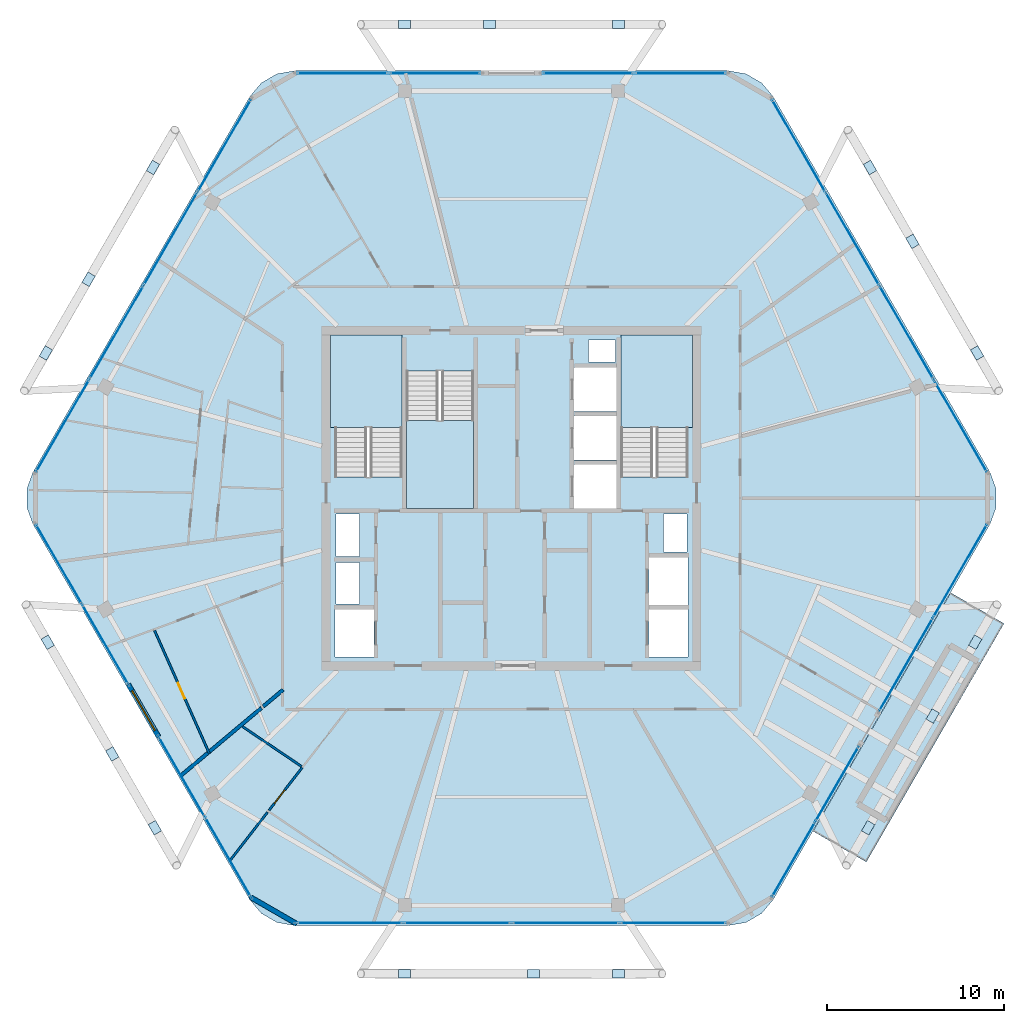
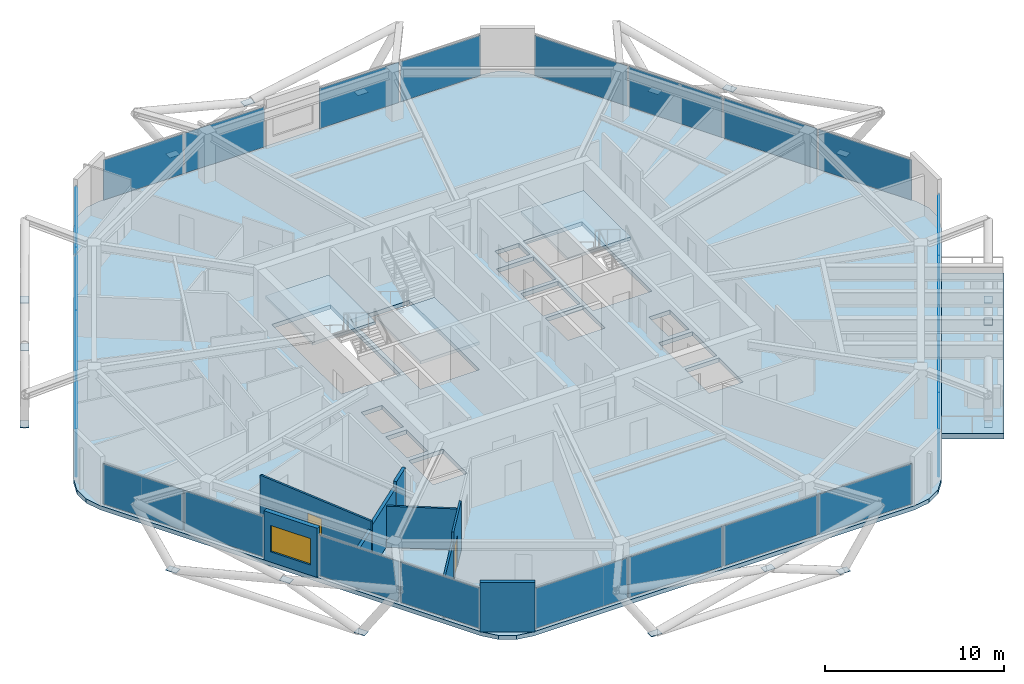
# One storey, part 16 of 23: 42 plates, 9 walls, 5 slabs, 2 doors, 1 window, 3 openings, 12 elements without a shape of their own.
"""IFC4 building model written with IfcOpenShell, lengths in metres."""

from ifc_helpers import new_model, si_unit, direction, frame, frame_2d, origin, origin_2d, place, context, subcontext, project, spatial, polyline, rectangle, outline, extrude, material, layer, layer_set, type_object, element, fill, aggregate, save


model = new_model("IFC4")

# Units and contexts
model_context = context("Model", 3, precision=1e-05, world=origin(), true_north=direction((0.0, 1.0)))
body_context = subcontext(model_context, "Body", "Model", "MODEL_VIEW")
ifc_project = project(units=[si_unit("LENGTHUNIT", "METRE"), si_unit("AREAUNIT", "SQUARE_METRE"), si_unit("VOLUMEUNIT", "CUBIC_METRE"), si_unit("PLANEANGLEUNIT", "RADIAN"), si_unit("MASSUNIT", "GRAM", prefix="KILO")], contexts=[model_context])

# Site, building, storey
site_placement = place(None, origin())
site = spatial("IfcSite", under=ifc_project, at=site_placement, CompositionType="ELEMENT")
building_placement = place(site_placement, origin())
building = spatial("IfcBuilding", under=site, at=building_placement, Name="Zuhravey Tower", CompositionType="ELEMENT")
storey_placement = place(building_placement, frame((0.0, 0.0, 353.800048828125)))
storey = spatial("IfcBuildingStorey", under=building, at=storey_placement, Name="L90", CompositionType="ELEMENT", Elevation=353.800048828125)

# Plates
ifc_material_1 = material(Name="Steel SM460", Category="steel")
ifc_layer_1 = layer(ifc_material_1, 0.028076171875)
ifc_layer_set_1 = layer_set([ifc_layer_1], Name="Steel SM460")
plate_type_1 = type_object("IfcPlateType", Name="Exoskeleton Zone 4 Node Plate ND4", PredefinedType="SHEET", material=ifc_layer_set_1)
for number, where, z_axis, x_axis, name in (
    (1, (62.376708984375, 40.222412109375, -0.61328125), (0.0, 0.0, 1.0), (-0.5, 0.866025403784, 0.0), "L90 Exoskeleton Node Gusset L90-01"),
    (2, (56.30908203125, 50.731689453125, -0.61328125), (0.0, 0.0, 1.0), (-0.5, 0.866025403784, 0.0), "L90 Exoskeleton Node Gusset L90-02"),
    (3, (42.0673828125, 58.833984375, -0.61328125), (0.0, 0.0, 1.0), (-1.0, 0.0, 0.0), "L90 Exoskeleton Node Gusset L90-03"),
    (4, (29.9326171875, 58.833984375, -0.61328125), (0.0, 0.0, 1.0), (-1.0, 0.0, 0.0), "L90 Exoskeleton Node Gusset L90-04"),
    (5, (15.69091796875, 50.731689453125, -0.61328125), (0.0, 0.0, 1.0), (-0.5, -0.866025403784, 0.0), "L90 Exoskeleton Node Gusset L90-05"),
    (6, (9.623291015625, 40.222412109375, -0.61328125), (0.0, 0.0, 1.0), (-0.5, -0.866025403784, 0.0), "L90 Exoskeleton Node Gusset L90-06"),
    (7, (9.727294921875, 23.83740234375, -0.61328125), (0.0, 0.0, 1.0), (0.5, -0.866025403784, 0.0), "L90 Exoskeleton Node Gusset L90-07"),
    (8, (15.794677734375, 13.328369140625, -0.61328125), (0.0, 0.0, 1.0), (0.5, -0.866025403784, 0.0), "L90 Exoskeleton Node Gusset L90-08"),
    (9, (29.9326171875, 5.0458984375, -0.61328125), (0.0, 0.0, 1.0), (1.0, 0.0, 0.0), "L90 Exoskeleton Node Gusset L90-09"),
    (10, (42.0673828125, 5.0458984375, -0.61328125), (0.0, 0.0, 1.0), (1.0, 0.0, 0.0), "L90 Exoskeleton Node Gusset L90-10"),
    (11, (56.205322265625, 13.328369140625, -0.61328125), (0.0, 0.0, 1.0), (0.5, 0.866025403784, 0.0), "L90 Exoskeleton Node Gusset L90-11"),
    (12, (62.272705078125, 23.83740234375, -0.61328125), (0.0, 0.0, 1.0), (0.5, 0.866025403784, 0.0), "L90 Exoskeleton Node Gusset L90-12"),
    (13, (58.7158203125, 46.548095703125, 1.25439453125), (0.0, 0.0, 1.0), (-0.5, 0.866025403784, 0.0), "L90 Face 1 Diagrid X-Crossing Plate"),
    (14, (34.7587890625, 58.833984375, 1.25439453125), (0.0, 0.0, 1.0), (-1.0, 0.0, 0.0), "L90 Face 2 Diagrid X-Crossing Plate"),
    (15, (12.043212890625, 44.398681640625, 1.25439453125), (0.0, 0.0, 1.0), (-0.5, -0.866025403784, 0.0), "L90 Face 3 Diagrid X-Crossing Plate"),
    (16, (13.381591796875, 17.50830078125, 1.25439453125), (0.0, 0.0, 1.0), (0.5, -0.866025403784, 0.0), "L90 Face 4 Diagrid X-Crossing Plate"),
    (17, (37.2412109375, 5.053466796875, 1.25439453125), (0.0, 0.0, 1.0), (1.0, 0.0, 0.0), "L90 Face 5 Diagrid X-Crossing Plate"),
    (18, (59.859619140625, 19.65771484375, 1.25439453125), (0.0, 0.0, 1.0), (0.5, 0.866025403784, 0.0), "L90 Face 6 Diagrid X-Crossing Plate"),
):
    element("IfcPlate", number, at=place(storey_placement, frame(where, z_axis=z_axis, x_axis=x_axis)), inside=storey, type_object=plate_type_1, Name=name, PredefinedType="SHEET", context=body_context, shape_type="SweptSolid", body=[
        extrude(rectangle(XDim=0.679931640625, YDim=0.47998046875, at=origin_2d()), origin(), (0.0, 0.0, 1.0), 0.028076171875),
    ])

# Slabs
ifc_material_2 = material(Name="Concrete C50/60", Category="concrete")
ifc_layer_2 = layer(ifc_material_2, 0.280029296875)
ifc_layer_set_2 = layer_set([ifc_layer_2], Name="Concrete C50/60")
slab_type_1 = type_object("IfcSlabType", Name="School Composite Floor Slab 280", PredefinedType="FLOOR", material=ifc_layer_set_2)
slab_1_placement = place(storey_placement, frame((0.0, 0.0, -0.280029296875)))
element("IfcSlab", 19, at=slab_1_placement, inside=storey, type_object=slab_type_1, Name="L90 Floor Slab FS28", PredefinedType="FLOOR", context=body_context, shape_type="SweptSolid", body=[
    extrude(outline(polyline([(63.1083984375, 30.52490234375), (63.458740234375, 31.48779296875), (63.458740234375, 32.51220703125), (63.1083984375, 33.47509765625), (50.83154296875, 54.739013671875), (50.173095703125, 55.52392578125), (49.285888671875, 56.0361328125), (48.27685546875, 56.214111328125), (23.72314453125, 56.214111328125), (22.714111328125, 56.0361328125), (21.826904296875, 55.52392578125), (21.16845703125, 54.739013671875), (8.8916015625, 33.47509765625), (8.541259765625, 32.51220703125), (8.541259765625, 31.48779296875), (8.8916015625, 30.52490234375), (21.16845703125, 9.260986328125), (21.826904296875, 8.47607421875), (22.714111328125, 7.9638671875), (23.72314453125, 7.785888671875), (48.27685546875, 7.785888671875), (49.285888671875, 7.9638671875), (50.173095703125, 8.47607421875), (50.83154296875, 9.260986328125), (63.1083984375, 30.52490234375)]), holes=[polyline([(29.800048828125, 33.20068359375), (29.800048828125, 41.0), (26.0, 41.0), (26.0, 33.20068359375), (29.800048828125, 33.20068359375)]), polyline([(46.0, 33.20068359375), (46.0, 41.0), (42.199951171875, 41.0), (42.199951171875, 33.20068359375), (46.0, 33.20068359375)]), polyline([(30.050048828125, 39.199462890625), (30.050048828125, 31.39990234375), (33.85009765625, 31.39990234375), (33.85009765625, 39.199462890625), (30.050048828125, 39.199462890625)]), polyline([(39.550048828125, 31.39990234375), (41.949951171875, 31.39990234375), (41.949951171875, 33.89990234375), (39.550048828125, 33.89990234375), (39.550048828125, 31.39990234375)]), polyline([(39.550048828125, 34.14990234375), (41.949951171875, 34.14990234375), (41.949951171875, 36.64990234375), (39.550048828125, 36.64990234375), (39.550048828125, 34.14990234375)]), polyline([(39.550048828125, 36.89990234375), (41.949951171875, 36.89990234375), (41.949951171875, 39.39990234375), (39.550048828125, 39.39990234375), (39.550048828125, 36.89990234375)]), polyline([(26.0, 23.0), (28.199951171875, 23.0), (28.199951171875, 25.699951171875), (26.0, 25.699951171875), (26.0, 23.0)]), polyline([(43.800048828125, 23.0), (46.0, 23.0), (46.0, 25.699951171875), (43.800048828125, 25.699951171875), (43.800048828125, 23.0)]), polyline([(43.800048828125, 25.949951171875), (46.0, 25.949951171875), (46.0, 28.64990234375), (43.800048828125, 28.64990234375), (43.800048828125, 25.949951171875)]), polyline([(26.050048828125, 26.0), (27.39990234375, 26.0), (27.39990234375, 28.35009765625), (26.050048828125, 28.35009765625), (26.050048828125, 26.0)]), polyline([(26.050048828125, 28.699951171875), (27.39990234375, 28.699951171875), (27.39990234375, 31.10009765625), (26.050048828125, 31.10009765625), (26.050048828125, 28.699951171875)]), polyline([(44.60009765625, 28.949951171875), (45.949951171875, 28.949951171875), (45.949951171875, 31.10009765625), (44.60009765625, 31.10009765625), (44.60009765625, 28.949951171875)]), polyline([(40.35009765625, 39.699951171875), (41.89990234375, 39.699951171875), (41.89990234375, 40.949951171875), (40.35009765625, 40.949951171875), (40.35009765625, 39.699951171875)])]), origin(), (0.0, 0.0, 1.0), 0.280029296875),
])
ifc_layer_3 = layer(ifc_material_2, 0.3798828125)
ifc_layer_set_3 = layer_set([ifc_layer_3], Name="Concrete C50/60")
slab_type_2 = type_object("IfcSlabType", Name="Sky-Pool Structural Deck Slab 380", PredefinedType="FLOOR", material=ifc_layer_set_3)
slab_2_placement = place(storey_placement, frame((0.0, 0.0, -0.380126953125)))
element("IfcSlab", 20, at=slab_2_placement, inside=storey, type_object=slab_type_2, Name="L90 Cantilevered Sky-Pool Deck SPD38", PredefinedType="FLOOR", context=body_context, shape_type="SweptSolid", body=[
    extrude(outline(polyline([(53.0830078125, 13.13037109375), (60.883056640625, 26.640380859375), (63.901123046875, 24.89794921875), (56.10107421875, 11.387939453125), (53.0830078125, 13.13037109375)])), origin(), (0.0, 0.0, 1.0), 0.380126953125),
])

# Stair, slab
ifc_material_3 = material(Name="Concrete C40/50", Category="concrete")
stair_type = type_object("IfcStairType", Name="Housing Storey Stair Assembly 3800", PredefinedType="HALF_TURN_STAIR", material=ifc_material_3)
stair_1_placement = place(storey_placement, origin())
stair_1 = element("IfcStair", 21, at=stair_1_placement, inside=storey, type_object=stair_type, Name="L90 Core Exit Stair ST1", PredefinedType="HALF_TURN_STAIR")
ifc_layer_4 = layer(ifc_material_3, 0.199951171875)
ifc_layer_set_4 = layer_set([ifc_layer_4], Name="Concrete C40/50")
slab_type_3 = type_object("IfcSlabType", Name="Stair Landing Slab 200", PredefinedType="LANDING", material=ifc_layer_set_4)
slab_3_placement = place(storey_placement, frame((0.0, 0.0, 1.699951171875)))
slab_3 = element("IfcSlab", 22, at=slab_3_placement, type_object=slab_type_3, Name="ST1 landing 1", PredefinedType="LANDING", context=body_context, shape_type="SweptSolid", body=[
    extrude(outline(polyline([(29.800048828125, 36.0), (29.800048828125, 41.248046875), (25.751953125, 41.248046875), (25.751953125, 36.0), (29.800048828125, 36.0)])), origin(), (0.0, 0.0, 1.0), 0.199951171875),
])
aggregate(stair_1, [slab_3])

stair_2_placement = place(storey_placement, origin())
stair_2 = element("IfcStair", 23, at=stair_2_placement, inside=storey, type_object=stair_type, Name="L90 Core Exit Stair ST2", PredefinedType="HALF_TURN_STAIR")
slab_4_placement = place(storey_placement, frame((0.0, 0.0, 1.699951171875)))
slab_4 = element("IfcSlab", 24, at=slab_4_placement, type_object=slab_type_3, Name="ST2 landing 1", PredefinedType="LANDING", context=body_context, shape_type="SweptSolid", body=[
    extrude(outline(polyline([(46.248046875, 36.0), (46.248046875, 41.248046875), (42.199951171875, 41.248046875), (42.199951171875, 36.0), (46.248046875, 36.0)])), origin(), (0.0, 0.0, 1.0), 0.199951171875),
])
aggregate(stair_2, [slab_4])

stair_3_placement = place(storey_placement, origin())
stair_3 = element("IfcStair", 25, at=stair_3_placement, inside=storey, type_object=stair_type, Name="L90 Core Exit Stair ST3", PredefinedType="HALF_TURN_STAIR")
slab_5_placement = place(storey_placement, frame((0.0, 0.0, 1.699951171875)))
slab_5 = element("IfcSlab", 26, at=slab_5_placement, type_object=slab_type_3, Name="ST3 landing 1", PredefinedType="LANDING", context=body_context, shape_type="SweptSolid", body=[
    extrude(outline(polyline([(30.050048828125, 36.39990234375), (30.050048828125, 31.39990234375), (33.85009765625, 31.39990234375), (33.85009765625, 36.39990234375), (30.050048828125, 36.39990234375)])), origin(), (0.0, 0.0, 1.0), 0.199951171875),
])
aggregate(stair_3, [slab_5])

# Curtain wall, plates
ifc_material_4 = material(Name="Thermally broken anodised aluminium", Category="aluminium")
curtain_wall_type = type_object("IfcCurtainWallType", Name="Zone 3-4 High-Rise Curtain Wall CW4", PredefinedType="NOTDEFINED", material=ifc_material_4)
curtain_wall_1_placement = place(storey_placement, origin())
curtain_wall_1 = element("IfcCurtainWall", 27, at=curtain_wall_1_placement, inside=storey, type_object=curtain_wall_type, Name="L90 CW4 CW-L90-F6-1", PredefinedType="NOTDEFINED")
ifc_material_5 = material(Name="Triple low-E insulated vision glass", Category="glass")
ifc_layer_5 = layer(ifc_material_5, 0.0419921875)
ifc_layer_set_5 = layer_set([ifc_layer_5], Name="Triple low-E insulated vision glass")
plate_type_2 = type_object("IfcPlateType", Name="Triple Low-E Vision Panel", PredefinedType="CURTAIN_PANEL", material=ifc_layer_set_5)
plate_1_placement = place(storey_placement, frame((61.414794921875, 27.87158203125, 0.08984375), z_axis=(0.0, 0.0, 1.0), x_axis=(-0.499998619547, -0.866026200788, 0.0)))
plate_1 = element("IfcPlate", 28, at=plate_1_placement, type_object=plate_type_2, Name="CW4 panel 1.1", PredefinedType="CURTAIN_PANEL", context=body_context, shape_type="SweptSolid", body=[
    extrude(rectangle(XDim=6.03466796875, YDim=0.0419921875, at=origin_2d()), origin(), (0.0, 0.0, 1.0), 2.199951171875),
])
plate_2_placement = place(storey_placement, frame((58.3525390625, 22.5673828125, 0.08984375), z_axis=(0.0, 0.0, 1.0), x_axis=(-0.499998619547, -0.866026200788, 0.0)))
plate_2 = element("IfcPlate", 29, at=plate_2_placement, type_object=plate_type_2, Name="CW4 panel 2.1", PredefinedType="CURTAIN_PANEL", context=body_context, shape_type="SweptSolid", body=[
    extrude(rectangle(XDim=6.03466796875, YDim=0.0419921875, at=origin_2d()), origin(), (0.0, 0.0, 1.0), 2.199951171875),
])
aggregate(curtain_wall_1, [plate_1, plate_2])

curtain_wall_2_placement = place(storey_placement, origin())
curtain_wall_2 = element("IfcCurtainWall", 30, at=curtain_wall_2_placement, inside=storey, type_object=curtain_wall_type, Name="L90 CW4 CW-L90-F6-2", PredefinedType="NOTDEFINED")
plate_3_placement = place(storey_placement, frame((54.445068359375, 15.7998046875, 0.08984375), z_axis=(0.0, 0.0, 1.0), x_axis=(-0.500003175854, -0.866023570197, 0.0)))
plate_3 = element("IfcPlate", 31, at=plate_3_placement, type_object=plate_type_2, Name="CW4 panel 1.1", PredefinedType="CURTAIN_PANEL", context=body_context, shape_type="SweptSolid", body=[
    extrude(rectangle(XDim=4.834716796875, YDim=0.0419921875, at=origin_2d()), origin(), (0.0, 0.0, 1.0), 2.199951171875),
])
plate_4_placement = place(storey_placement, frame((51.982666015625, 11.534912109375, 0.08984375), z_axis=(0.0, 0.0, 1.0), x_axis=(-0.500003175854, -0.866023570197, 0.0)))
plate_4 = element("IfcPlate", 32, at=plate_4_placement, type_object=plate_type_2, Name="CW4 panel 2.1", PredefinedType="CURTAIN_PANEL", context=body_context, shape_type="SweptSolid", body=[
    extrude(rectangle(XDim=4.834716796875, YDim=0.0419921875, at=origin_2d()), origin(), (0.0, 0.0, 1.0), 2.199951171875),
])
aggregate(curtain_wall_2, [plate_3, plate_4])

curtain_wall_3_placement = place(storey_placement, origin())
curtain_wall_3 = element("IfcCurtainWall", 33, at=curtain_wall_3_placement, inside=storey, type_object=curtain_wall_type, Name="L90 CW4 CW-L90-F5-1", PredefinedType="NOTDEFINED")
plate_5_placement = place(storey_placement, frame((45.156982421875, 7.92578125, 0.08984375), z_axis=(0.0, 0.0, 1.0), x_axis=(-1.0, 0.0, 0.0)))
plate_5 = element("IfcPlate", 34, at=plate_5_placement, type_object=plate_type_2, Name="CW4 panel 1.1", PredefinedType="CURTAIN_PANEL", context=body_context, shape_type="SweptSolid", body=[
    extrude(rectangle(XDim=5.984619140625, YDim=0.0419921875, at=origin_2d()), origin(), (0.0, 0.0, 1.0), 2.741943359375),
])
plate_6_placement = place(storey_placement, frame((39.059814453125, 7.92578125, 0.08984375), z_axis=(0.0, 0.0, 1.0), x_axis=(-1.0, 0.0, 0.0)))
plate_6 = element("IfcPlate", 35, at=plate_6_placement, type_object=plate_type_2, Name="CW4 panel 2.1", PredefinedType="CURTAIN_PANEL", context=body_context, shape_type="SweptSolid", body=[
    extrude(rectangle(XDim=6.029541015625, YDim=0.0419921875, at=origin_2d()), origin(), (0.0, 0.0, 1.0), 2.741943359375),
])
plate_7_placement = place(storey_placement, frame((32.940185546875, 7.92578125, 0.08984375), z_axis=(0.0, 0.0, 1.0), x_axis=(-1.0, 0.0, 0.0)))
plate_7 = element("IfcPlate", 36, at=plate_7_placement, type_object=plate_type_2, Name="CW4 panel 3.1", PredefinedType="CURTAIN_PANEL", context=body_context, shape_type="SweptSolid", body=[
    extrude(rectangle(XDim=6.029541015625, YDim=0.0419921875, at=origin_2d()), origin(), (0.0, 0.0, 1.0), 2.741943359375),
])
plate_8_placement = place(storey_placement, frame((26.843017578125, 7.92578125, 0.08984375), z_axis=(0.0, 0.0, 1.0), x_axis=(-1.0, 0.0, 0.0)))
plate_8 = element("IfcPlate", 37, at=plate_8_placement, type_object=plate_type_2, Name="CW4 panel 4.1", PredefinedType="CURTAIN_PANEL", context=body_context, shape_type="SweptSolid", body=[
    extrude(rectangle(XDim=5.984619140625, YDim=0.0419921875, at=origin_2d()), origin(), (0.0, 0.0, 1.0), 2.741943359375),
])
aggregate(curtain_wall_3, [plate_5, plate_6, plate_7, plate_8])

curtain_wall_4_placement = place(storey_placement, origin())
curtain_wall_4 = element("IfcCurtainWall", 38, at=curtain_wall_4_placement, inside=storey, type_object=curtain_wall_type, Name="L90 CW4 CW-L90-F4-1", PredefinedType="NOTDEFINED")
plate_9_placement = place(storey_placement, frame((19.939208984375, 11.670166015625, 0.08984375), z_axis=(0.0, 0.0, 1.0), x_axis=(-0.49999448997, 0.866028584979, 0.0)))
plate_9 = element("IfcPlate", 39, at=plate_9_placement, type_object=plate_type_2, Name="CW4 panel 1.1", PredefinedType="CURTAIN_PANEL", context=body_context, shape_type="SweptSolid", body=[
    extrude(rectangle(XDim=5.147216796875, YDim=0.0419921875, at=origin_2d()), origin(), (0.0, 0.0, 1.0), 2.741943359375),
])
plate_10_placement = place(storey_placement, frame((17.320556640625, 16.20556640625, 0.08984375), z_axis=(0.0, 0.0, 1.0), x_axis=(-0.49999448997, 0.866028584979, 0.0)))
plate_10 = element("IfcPlate", 40, at=plate_10_placement, type_object=plate_type_2, Name="CW4 panel 2.1", PredefinedType="CURTAIN_PANEL", context=body_context, shape_type="SweptSolid", body=[
    extrude(rectangle(XDim=5.147216796875, YDim=0.0419921875, at=origin_2d()), origin(), (0.0, 0.0, 1.0), 2.741943359375),
])
aggregate(curtain_wall_4, [plate_9, plate_10])

curtain_wall_5_placement = place(storey_placement, origin())
curtain_wall_5 = element("IfcCurtainWall", 41, at=curtain_wall_5_placement, inside=storey, type_object=curtain_wall_type, Name="L90 CW4 CW-L90-F4-2", PredefinedType="NOTDEFINED")
plate_11_placement = place(storey_placement, frame((12.98193359375, 23.72021484375, 0.08984375), z_axis=(0.0, 0.0, 1.0), x_axis=(-0.500001589341, 0.866024486176, 0.0)))
plate_11 = element("IfcPlate", 42, at=plate_11_placement, type_object=plate_type_2, Name="CW4 panel 1.1", PredefinedType="CURTAIN_PANEL", context=body_context, shape_type="SweptSolid", body=[
    extrude(rectangle(XDim=5.147216796875, YDim=0.0419921875, at=origin_2d()), origin(), (0.0, 0.0, 1.0), 2.741943359375),
])
plate_12_placement = place(storey_placement, frame((10.36328125, 28.255859375, 0.08984375), z_axis=(0.0, 0.0, 1.0), x_axis=(-0.500001589341, 0.866024486176, 0.0)))
plate_12 = element("IfcPlate", 43, at=plate_12_placement, type_object=plate_type_2, Name="CW4 panel 2.1", PredefinedType="CURTAIN_PANEL", context=body_context, shape_type="SweptSolid", body=[
    extrude(rectangle(XDim=5.147216796875, YDim=0.0419921875, at=origin_2d()), origin(), (0.0, 0.0, 1.0), 2.741943359375),
])
aggregate(curtain_wall_5, [plate_11, plate_12])

curtain_wall_6_placement = place(storey_placement, origin())
curtain_wall_6 = element("IfcCurtainWall", 44, at=curtain_wall_6_placement, inside=storey, type_object=curtain_wall_type, Name="L90 CW4 CW-L90-F3-1", PredefinedType="NOTDEFINED")
plate_13_placement = place(storey_placement, frame((10.57275390625, 36.10693359375, 0.08984375), z_axis=(0.0, 0.0, 1.0), x_axis=(0.49999981336, 0.866025511541, 0.0)))
plate_13 = element("IfcPlate", 45, at=plate_13_placement, type_object=plate_type_2, Name="CW4 panel 1.1", PredefinedType="CURTAIN_PANEL", context=body_context, shape_type="SweptSolid", body=[
    extrude(rectangle(XDim=5.984619140625, YDim=0.0419921875, at=origin_2d()), origin(), (0.0, 0.0, 1.0), 2.741943359375),
])
plate_14_placement = place(storey_placement, frame((13.621337890625, 41.38720703125, 0.08984375), z_axis=(0.0, 0.0, 1.0), x_axis=(0.49999981336, 0.866025511541, 0.0)))
plate_14 = element("IfcPlate", 46, at=plate_14_placement, type_object=plate_type_2, Name="CW4 panel 2.1", PredefinedType="CURTAIN_PANEL", context=body_context, shape_type="SweptSolid", body=[
    extrude(rectangle(XDim=6.029541015625, YDim=0.0419921875, at=origin_2d()), origin(), (0.0, 0.0, 1.0), 2.741943359375),
])
plate_15_placement = place(storey_placement, frame((16.68115234375, 46.68701171875, 0.08984375), z_axis=(0.0, 0.0, 1.0), x_axis=(0.49999981336, 0.866025511541, 0.0)))
plate_15 = element("IfcPlate", 47, at=plate_15_placement, type_object=plate_type_2, Name="CW4 panel 3.1", PredefinedType="CURTAIN_PANEL", context=body_context, shape_type="SweptSolid", body=[
    extrude(rectangle(XDim=6.029541015625, YDim=0.0419921875, at=origin_2d()), origin(), (0.0, 0.0, 1.0), 2.741943359375),
])
plate_16_placement = place(storey_placement, frame((19.729736328125, 51.96728515625, 0.08984375), z_axis=(0.0, 0.0, 1.0), x_axis=(0.49999981336, 0.866025511541, 0.0)))
plate_16 = element("IfcPlate", 48, at=plate_16_placement, type_object=plate_type_2, Name="CW4 panel 4.1", PredefinedType="CURTAIN_PANEL", context=body_context, shape_type="SweptSolid", body=[
    extrude(rectangle(XDim=5.984619140625, YDim=0.0419921875, at=origin_2d()), origin(), (0.0, 0.0, 1.0), 2.741943359375),
])
aggregate(curtain_wall_6, [plate_13, plate_14, plate_15, plate_16])

curtain_wall_7_placement = place(storey_placement, origin())
curtain_wall_7 = element("IfcCurtainWall", 49, at=curtain_wall_7_placement, inside=storey, type_object=curtain_wall_type, Name="L90 CW4 CW-L90-F2-1", PredefinedType="NOTDEFINED")
plate_17_placement = place(storey_placement, frame((26.42431640625, 56.07421875, 0.08984375), z_axis=(0.0, 0.0, 1.0), x_axis=(1.0, 0.0, 0.0)))
plate_17 = element("IfcPlate", 50, at=plate_17_placement, type_object=plate_type_2, Name="CW4 panel 1.1", PredefinedType="CURTAIN_PANEL", context=body_context, shape_type="SweptSolid", body=[
    extrude(rectangle(XDim=5.147216796875, YDim=0.0419921875, at=origin_2d()), origin(), (0.0, 0.0, 1.0), 2.741943359375),
])
plate_18_placement = place(storey_placement, frame((31.661376953125, 56.07421875, 0.08984375), z_axis=(0.0, 0.0, 1.0), x_axis=(1.0, 0.0, 0.0)))
plate_18 = element("IfcPlate", 51, at=plate_18_placement, type_object=plate_type_2, Name="CW4 panel 2.1", PredefinedType="CURTAIN_PANEL", context=body_context, shape_type="SweptSolid", body=[
    extrude(rectangle(XDim=5.147216796875, YDim=0.0419921875, at=origin_2d()), origin(), (0.0, 0.0, 1.0), 2.741943359375),
])
aggregate(curtain_wall_7, [plate_17, plate_18])

curtain_wall_8_placement = place(storey_placement, origin())
curtain_wall_8 = element("IfcCurtainWall", 52, at=curtain_wall_8_placement, inside=storey, type_object=curtain_wall_type, Name="L90 CW4 CW-L90-F2-2", PredefinedType="NOTDEFINED")
plate_19_placement = place(storey_placement, frame((40.338623046875, 56.07421875, 0.08984375), z_axis=(0.0, 0.0, 1.0), x_axis=(1.0, 0.0, 0.0)))
plate_19 = element("IfcPlate", 53, at=plate_19_placement, type_object=plate_type_2, Name="CW4 panel 1.1", PredefinedType="CURTAIN_PANEL", context=body_context, shape_type="SweptSolid", body=[
    extrude(rectangle(XDim=5.147216796875, YDim=0.0419921875, at=origin_2d()), origin(), (0.0, 0.0, 1.0), 2.741943359375),
])
plate_20_placement = place(storey_placement, frame((45.57568359375, 56.07421875, 0.08984375), z_axis=(0.0, 0.0, 1.0), x_axis=(1.0, 0.0, 0.0)))
plate_20 = element("IfcPlate", 54, at=plate_20_placement, type_object=plate_type_2, Name="CW4 panel 2.1", PredefinedType="CURTAIN_PANEL", context=body_context, shape_type="SweptSolid", body=[
    extrude(rectangle(XDim=5.147216796875, YDim=0.0419921875, at=origin_2d()), origin(), (0.0, 0.0, 1.0), 2.741943359375),
])
aggregate(curtain_wall_8, [plate_19, plate_20])

curtain_wall_9_placement = place(storey_placement, origin())
curtain_wall_9 = element("IfcCurtainWall", 55, at=curtain_wall_9_placement, inside=storey, type_object=curtain_wall_type, Name="L90 CW4 CW-L90-F1-1", PredefinedType="NOTDEFINED")
plate_21_placement = place(storey_placement, frame((52.270263671875, 51.96728515625, 0.08984375), z_axis=(0.0, 0.0, 1.0), x_axis=(0.49999981336, -0.866025511541, 0.0)))
plate_21 = element("IfcPlate", 56, at=plate_21_placement, type_object=plate_type_2, Name="CW4 panel 1.1", PredefinedType="CURTAIN_PANEL", context=body_context, shape_type="SweptSolid", body=[
    extrude(rectangle(XDim=5.984619140625, YDim=0.0419921875, at=origin_2d()), origin(), (0.0, 0.0, 1.0), 2.741943359375),
])
plate_22_placement = place(storey_placement, frame((55.31884765625, 46.68701171875, 0.08984375), z_axis=(0.0, 0.0, 1.0), x_axis=(0.49999981336, -0.866025511541, 0.0)))
plate_22 = element("IfcPlate", 57, at=plate_22_placement, type_object=plate_type_2, Name="CW4 panel 2.1", PredefinedType="CURTAIN_PANEL", context=body_context, shape_type="SweptSolid", body=[
    extrude(rectangle(XDim=6.029541015625, YDim=0.0419921875, at=origin_2d()), origin(), (0.0, 0.0, 1.0), 2.741943359375),
])
plate_23_placement = place(storey_placement, frame((58.378662109375, 41.38720703125, 0.08984375), z_axis=(0.0, 0.0, 1.0), x_axis=(0.49999981336, -0.866025511541, 0.0)))
plate_23 = element("IfcPlate", 58, at=plate_23_placement, type_object=plate_type_2, Name="CW4 panel 3.1", PredefinedType="CURTAIN_PANEL", context=body_context, shape_type="SweptSolid", body=[
    extrude(rectangle(XDim=6.029541015625, YDim=0.0419921875, at=origin_2d()), origin(), (0.0, 0.0, 1.0), 2.741943359375),
])
plate_24_placement = place(storey_placement, frame((61.42724609375, 36.10693359375, 0.08984375), z_axis=(0.0, 0.0, 1.0), x_axis=(0.49999981336, -0.866025511541, 0.0)))
plate_24 = element("IfcPlate", 59, at=plate_24_placement, type_object=plate_type_2, Name="CW4 panel 4.1", PredefinedType="CURTAIN_PANEL", context=body_context, shape_type="SweptSolid", body=[
    extrude(rectangle(XDim=5.984619140625, YDim=0.0419921875, at=origin_2d()), origin(), (0.0, 0.0, 1.0), 2.741943359375),
])
aggregate(curtain_wall_9, [plate_21, plate_22, plate_23, plate_24])

# Wall
ifc_material_6 = material(Name="Precast concrete C40/50", Category="concrete")
ifc_layer_6 = layer(ifc_material_6, 0.280029296875)
ifc_layer_set_6 = layer_set([ifc_layer_6], Name="Precast concrete C40/50")
wall_type_1 = type_object("IfcWallType", Name="Crown Architectural Wall 280", PredefinedType="SOLIDWALL", material=ifc_layer_set_6)
wall_1_placement = place(storey_placement, frame((23.843017578125, 7.87841796875, 0.0), z_axis=(0.0, 0.0, 1.0), x_axis=(-0.866023752521, 0.50000286006, 0.0)))
element("IfcWall", 60, at=wall_1_placement, inside=storey, type_object=wall_type_1, Name="L90 Rounded Corner Closure Wall EW28-04", PredefinedType="SOLIDWALL", context=body_context, shape_type="SweptSolid", body=[
    extrude(rectangle(XDim=3.06494140625, YDim=0.280029296875, at=frame_2d((1.532470703125, 0.0))), origin(), (0.0, 0.0, 1.0), 3.349853515625),
])

# Wall, opening, window
wall_2_placement = place(storey_placement, frame((16.01123046875, 18.473388671875, 0.0), z_axis=(0.0, 0.0, 1.0), x_axis=(-0.500009156386, 0.866020117278, 0.0)))
wall_2 = element("IfcWall", 61, at=wall_2_placement, inside=storey, type_object=wall_type_1, Name="L90 Face 4 Facade Pier EW28-1", PredefinedType="SOLIDWALL", context=body_context, shape_type="SweptSolid", body=[
    extrude(rectangle(XDim=3.43994140625, YDim=0.280029296875, at=frame_2d((1.719970703125, 0.0))), origin(), (0.0, 0.0, 1.0), 3.349853515625),
])
opening_1_placement = place(wall_2_placement, frame((0.419921875, 0.0, 0.699951171875)))
opening_1 = element("IfcOpeningElement", 62, at=opening_1_placement, cuts=wall_2, Name="Opening WN4", PredefinedType="OPENING", context=body_context, shape_type="SweptSolid", body=[
    extrude(rectangle(XDim=2.60009765625, YDim=1.800048828125, at=frame_2d((1.300048828125, 0.89990234375))), frame((0.0, 0.152099609375, 0.0), z_axis=(0.0, -1.0, 0.0), x_axis=(1.0, 0.0, 0.0)), (0.0, 0.0, 1.0), 0.303955078125),
])
ifc_material_7 = material(Name="Thermally broken aluminium and triple low-E glass", Category="aluminium")
window_type = type_object("IfcWindowType", Name="Sky-Pool Observatory Window 2600x1800", PartitioningType="SINGLE_PANEL", PredefinedType="WINDOW", material=ifc_material_7)
window_placement = place(opening_1_placement, origin())
window = element("IfcWindow", 63, at=window_placement, inside=storey, type_object=window_type, Name="L90 Face 4 Feature Window", OverallHeight=1.800048828125, OverallWidth=2.60009765625, PartitioningType="SINGLE_PANEL", PredefinedType="WINDOW", context=body_context, shape_type="SweptSolid", body=[
    extrude(rectangle(XDim=2.60009765625, YDim=1.800048828125, at=frame_2d((1.300048828125, 0.89990234375))), frame((0.0, 0.030029296875, 0.0), z_axis=(0.0, -1.0, 0.0), x_axis=(1.0, 0.0, 0.0)), (0.0, 0.0, 1.0), 0.06005859375),
])
fill(opening_1, window)

# Walls
ifc_material_8 = material(Name="Gypsum double-stud party assembly")
ifc_layer_7 = layer(ifc_material_8, 0.199951171875)
ifc_layer_set_7 = layer_set([ifc_layer_7], Name="Gypsum double-stud party assembly")
wall_type_2 = type_object("IfcWallType", Name="Inter-Tenancy Party Wall 200", PredefinedType="PARTITIONING", material=ifc_layer_set_7)
wall_3_placement = place(storey_placement, frame((23.06005859375, 21.14208984375, 0.0), z_axis=(0.0, 0.0, 1.0), x_axis=(-0.766056395585, -0.642773365024, 0.0)))
element("IfcWall", 64, at=wall_3_placement, inside=storey, type_object=wall_type_2, Name="L90 IW20 Partition 076", PredefinedType="PARTITIONING", context=body_context, shape_type="SweptSolid", body=[
    extrude(rectangle(XDim=1.46337890625, YDim=0.199951171875, at=frame_2d((0.731689453125, 0.0))), origin(), (0.0, 0.0, 1.0), 3.349853515625),
])
wall_4_placement = place(storey_placement, frame((21.83056640625, 20.110595703125, 0.0), z_axis=(0.0, 0.0, 1.0), x_axis=(-0.766011894934, -0.642826397108, 0.0)))
element("IfcWall", 65, at=wall_4_placement, inside=storey, type_object=wall_type_2, Name="L90 IW20 Partition 077", PredefinedType="PARTITIONING", context=body_context, shape_type="SweptSolid", body=[
    extrude(rectangle(XDim=3.821044921875, YDim=0.199951171875, at=frame_2d((1.91064453125, 0.0))), origin(), (0.0, 0.0, 1.0), 3.0),
])
wall_5_placement = place(storey_placement, frame((18.795166015625, 17.5634765625, 0.0), z_axis=(0.0, 0.0, 1.0), x_axis=(-0.766060718976, -0.642768212376, 0.0)))
element("IfcWall", 66, at=wall_5_placement, inside=storey, type_object=wall_type_2, Name="L90 IW20 Partition 078", PredefinedType="PARTITIONING", context=body_context, shape_type="SweptSolid", body=[
    extrude(rectangle(XDim=1.986083984375, YDim=0.199951171875, at=frame_2d((0.9931640625, 0.0))), origin(), (0.0, 0.0, 1.0), 2.77001953125),
])

# Wall, opening, door
ifc_material_9 = material(Name="Gypsum metal-stud partition")
ifc_layer_8 = layer(ifc_material_9, 0.1201171875)
ifc_layer_set_8 = layer_set([ifc_layer_8], Name="Gypsum metal-stud partition")
wall_type_3 = type_object("IfcWallType", Name="Unit Internal Partition 120", PredefinedType="PARTITIONING", material=ifc_layer_set_8)
wall_6_placement = place(storey_placement, frame((15.779296875, 24.50390625, 0.0), z_axis=(0.0, 0.0, 1.0), x_axis=(0.406754151675, -0.913537662111, 0.0)))
wall_6 = element("IfcWall", 67, at=wall_6_placement, inside=storey, type_object=wall_type_3, Name="L90 IW12 Partition 037", PredefinedType="PARTITIONING", context=body_context, shape_type="SweptSolid", body=[
    extrude(rectangle(XDim=7.651611328125, YDim=0.1201171875, at=frame_2d((3.82568359375, 0.0))), origin(), (0.0, 0.0, 1.0), 3.349853515625),
])
opening_2_placement = place(wall_6_placement, frame((3.2666015625, 0.0, 0.0)))
opening_2 = element("IfcOpeningElement", 68, at=opening_2_placement, cuts=wall_6, Name="Opening IND1", PredefinedType="OPENING", context=body_context, shape_type="SweptSolid", body=[
    extrude(rectangle(XDim=0.949951171875, YDim=2.10009765625, at=frame_2d((0.47509765625, 1.050048828125))), frame((0.0, 0.072021484375, 0.0), z_axis=(0.0, -1.0, 0.0), x_axis=(1.0, 0.0, 0.0)), (0.0, 0.0, 1.0), 0.14404296875),
])
ifc_material_10 = material(Name="Painted engineered timber leaf", Category="wood")
door_type = type_object("IfcDoorType", Name="Internal Room & Bedroom Door 950x2100", OperationType="NOTDEFINED", PredefinedType="DOOR", material=ifc_material_10)
door_1_placement = place(opening_2_placement, frame((0.949951171875, 0.0, 0.0), z_axis=(0.0, 0.0, 1.0), x_axis=(-1.0, 0.0, 0.0)))
door_1 = element("IfcDoor", 69, at=door_1_placement, inside=storey, type_object=door_type, Name="Apartment L90-03 Bedroom 1 Door", OperationType="SINGLE_SWING_LEFT", OverallHeight=2.10009765625, OverallWidth=0.949951171875, PredefinedType="DOOR", context=body_context, shape_type="SweptSolid", body=[
    extrude(rectangle(XDim=0.949951171875, YDim=2.10009765625, at=frame_2d((0.47509765625, 1.050048828125))), frame((0.0, 0.02490234375, 0.0), z_axis=(0.0, -1.0, 0.0), x_axis=(1.0, 0.0, 0.0)), (0.0, 0.0, 1.0), 0.050048828125),
])
fill(opening_2, door_1)

wall_7_placement = place(storey_placement, frame((24.14892578125, 16.74365234375, 0.0), z_axis=(0.0, 0.0, 1.0), x_axis=(-0.613439949778, -0.789741367801, 0.0)))
wall_7 = element("IfcWall", 70, at=wall_7_placement, inside=storey, type_object=wall_type_3, Name="L90 IW12 Partition 041", PredefinedType="PARTITIONING", context=body_context, shape_type="SweptSolid", body=[
    extrude(rectangle(XDim=3.07275390625, YDim=0.1201171875, at=frame_2d((1.536376953125, 0.0))), origin(), (0.0, 0.0, 1.0), 3.349853515625),
])
opening_3_placement = place(wall_7_placement, frame((1.62841796875, 0.0, 0.0)))
opening_3 = element("IfcOpeningElement", 71, at=opening_3_placement, cuts=wall_7, Name="Opening IND1", PredefinedType="OPENING", context=body_context, shape_type="SweptSolid", body=[
    extrude(rectangle(XDim=0.949951171875, YDim=2.10009765625, at=frame_2d((0.47509765625, 1.050048828125))), frame((0.0, 0.072021484375, 0.0), z_axis=(0.0, -1.0, 0.0), x_axis=(1.0, 0.0, 0.0)), (0.0, 0.0, 1.0), 0.14404296875),
])
door_2_placement = place(opening_3_placement, frame((0.949951171875, 0.0, 0.0), z_axis=(0.0, 0.0, 1.0), x_axis=(-1.0, 0.0, 0.0)))
door_2 = element("IfcDoor", 72, at=door_2_placement, inside=storey, type_object=door_type, Name="Apartment L90-04 Bedroom 1 Door", OperationType="SINGLE_SWING_LEFT", OverallHeight=2.10009765625, OverallWidth=0.949951171875, PredefinedType="DOOR", context=body_context, shape_type="SweptSolid", body=[
    extrude(rectangle(XDim=0.949951171875, YDim=2.10009765625, at=frame_2d((0.47509765625, 1.050048828125))), frame((0.0, 0.02490234375, 0.0), z_axis=(0.0, -1.0, 0.0), x_axis=(1.0, 0.0, 0.0)), (0.0, 0.0, 1.0), 0.050048828125),
])
fill(opening_3, door_2)

# Walls
wall_8_placement = place(storey_placement, frame((22.18017578125, 14.209228515625, 0.0), z_axis=(0.0, 0.0, 1.0), x_axis=(-0.613468009704, -0.789719571158, 0.0)))
element("IfcWall", 73, at=wall_8_placement, inside=storey, type_object=wall_type_3, Name="L90 IW12 Partition 042", PredefinedType="PARTITIONING", context=body_context, shape_type="SweptSolid", body=[
    extrude(rectangle(XDim=3.469970703125, YDim=0.1201171875, at=frame_2d((1.73486328125, 0.0))), origin(), (0.0, 0.0, 1.0), 2.77001953125),
])
wall_9_placement = place(storey_placement, frame((20.75244140625, 19.064697265625, 0.0), z_axis=(0.0, 0.0, 1.0), x_axis=(0.829050018, -0.559174451896, 0.0)))
element("IfcWall", 74, at=wall_9_placement, inside=storey, type_object=wall_type_3, Name="L90 IW12 Partition 080", PredefinedType="PARTITIONING", context=body_context, shape_type="SweptSolid", body=[
    extrude(rectangle(XDim=4.04736328125, YDim=0.1201171875, at=frame_2d((2.023681640625, 0.0))), origin(), (0.0, 0.0, 1.0), 2.800048828125),
])

save(model, "model.ifc")
